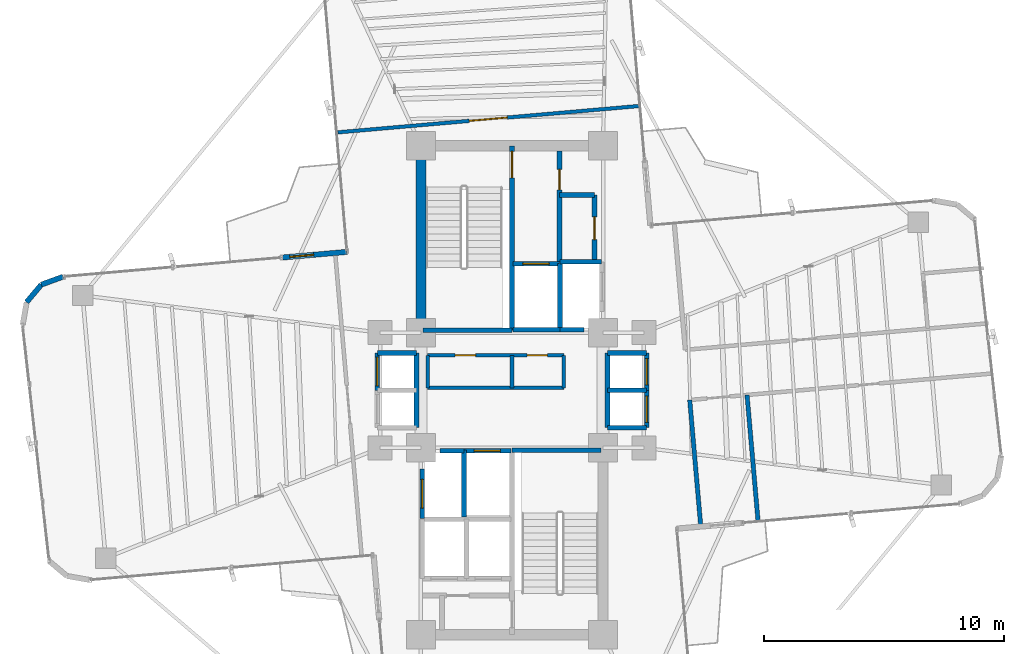
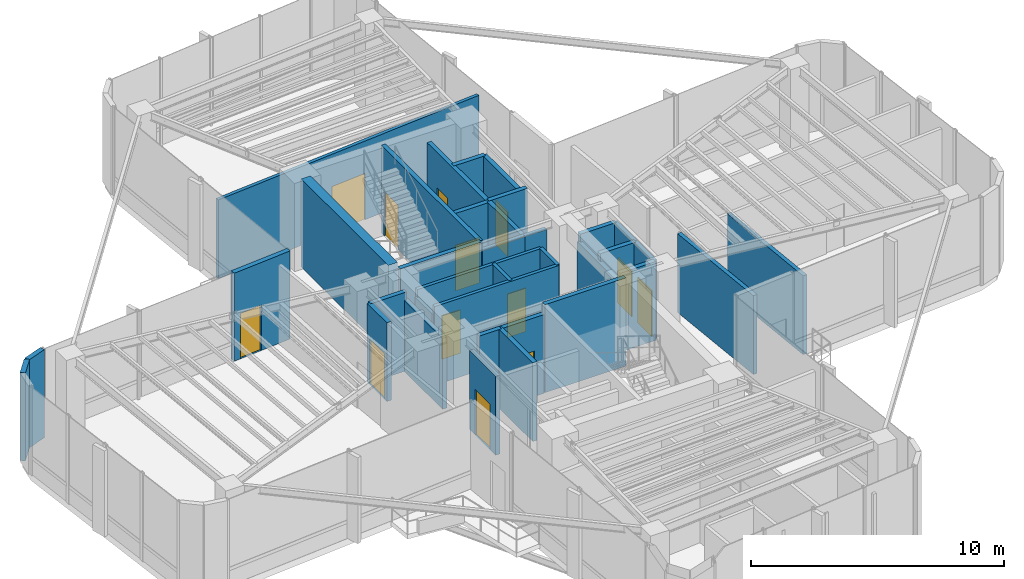
# One storey, part 17 of 19: 36 walls, 13 doors, 13 openings.
"""IFC4 building model written with IfcOpenShell, lengths in metres."""

from ifc_helpers import new_model, si_unit, direction, frame, frame_2d, origin, origin_2d, place, context, subcontext, project, spatial, rectangle, extrude, source, transform, mapped, material, layer, layer_set, type_object, element, fill, save


model = new_model("IFC4")

# Units and contexts
model_context = context("Model", 3, precision=1e-05, world=origin(), true_north=direction((0.0, 1.0)))
body_context = subcontext(model_context, "Body", "Model", "MODEL_VIEW")
ifc_project = project(units=[si_unit("LENGTHUNIT", "METRE"), si_unit("AREAUNIT", "SQUARE_METRE"), si_unit("VOLUMEUNIT", "CUBIC_METRE"), si_unit("PLANEANGLEUNIT", "RADIAN"), si_unit("MASSUNIT", "GRAM", prefix="KILO")], contexts=[model_context])

# Site, building, storey
site_placement = place(None, origin())
site = spatial("IfcSite", under=ifc_project, at=site_placement, CompositionType="ELEMENT")
building_placement = place(site_placement, origin())
building = spatial("IfcBuilding", under=site, at=building_placement, Name="Sahyath Konkavel Grand Hotel", CompositionType="ELEMENT")
storey_placement = place(building_placement, frame((0.0, 0.0, 142.75)))
storey = spatial("IfcBuildingStorey", under=building, at=storey_placement, Name="L39", CompositionType="ELEMENT", Elevation=142.75)

# Wall
ifc_material_1 = material(Name="Concrete C50/60", Category="concrete")
ifc_layer_1 = layer(ifc_material_1, 0.419921875)
ifc_layer_set_1 = layer_set([ifc_layer_1], Name="Concrete C50/60")
wall_type_1 = type_object("IfcWallType", Name="CWALL-420", PredefinedType="SHEAR", material=ifc_layer_set_1)
wall_1_placement = place(storey_placement, frame((-3.800048828125, 2.85009765625, 0.0), z_axis=(0.0, 0.0, 1.0), x_axis=(0.0, 1.0, 0.0)))
element("IfcWall", 1, at=wall_1_placement, inside=storey, type_object=wall_type_1, Name="L39 North Core Shear Wall W", PredefinedType="SHEAR", context=body_context, shape_type="SweptSolid", body=[
    extrude(rectangle(XDim=6.89990234375, YDim=0.419921875, at=frame_2d((3.449951171875, 0.0))), origin(), (0.0, 0.0, 1.0), 4.260009765625),
])

# Wall, opening, door
ifc_material_2 = material(Name="Warm Buff Sandstone Insulated Concrete C40/50", Category="masonry")
ifc_layer_2 = layer(ifc_material_2, 0.219970703125)
ifc_layer_set_2 = layer_set([ifc_layer_2], Name="Warm Buff Sandstone Insulated Concrete C40/50")
wall_type_2 = type_object("IfcWallType", Name="WLL-BALC-THRESH", PredefinedType="STANDARD", material=ifc_layer_set_2)
wall_2_placement = place(storey_placement, frame((-6.87939453125, 5.7724609375, 0.0), z_axis=(0.0, 0.0, 1.0), x_axis=(-0.996193619346, -0.087168071984, 0.0)))
wall_2 = element("IfcWall", 2, at=wall_2_placement, inside=storey, type_object=wall_type_2, Name="L39 Winter-Garden Threshold Wall 16", PredefinedType="STANDARD", context=body_context, shape_type="SweptSolid", body=[
    extrude(rectangle(XDim=2.699951171875, YDim=0.219970703125, at=frame_2d((1.35009765625, 0.0))), origin(), (0.0, 0.0, 1.0), 4.260009765625),
])
opening_1_placement = place(wall_2_placement, frame((1.39990234375, 0.0, 0.0)))
opening_1 = element("IfcOpeningElement", 3, at=opening_1_placement, cuts=wall_2, Name="Opening D-TR1", PredefinedType="OPENING", context=body_context, shape_type="SweptSolid", body=[
    extrude(rectangle(XDim=1.0, YDim=2.199951171875, at=frame_2d((0.5, 1.10009765625))), frame((0.0, 0.1201171875, 0.0), z_axis=(0.0, -1.0, 0.0), x_axis=(1.0, 0.0, 0.0)), (0.0, 0.0, 1.0), 0.239990234375),
])
ifc_material_3 = material(Name="Anodised Bronze Aluminium & Low-E Glazing", Category="aluminium")
door_type_1 = type_object("IfcDoorType", Name="DR-TERRACE-1000", OperationType="NOTDEFINED", PredefinedType="DOOR", material=ifc_material_3)
shared_shape_1 = source(origin(), body_context, "Body", "SweptSolid", [
    extrude(rectangle(XDim=1.0, YDim=0.050048828125, at=origin_2d()), origin(), (0.0, 0.0, 1.0), 2.199951171875),
])
door_1_placement = place(opening_1_placement, frame((0.5, 0.0, 0.0)))
door_1 = element("IfcDoor", 4, at=door_1_placement, inside=storey, type_object=door_type_1, Name="L39 Winter-Garden Terrace Door 16", OperationType="SINGLE_SWING_LEFT", OverallHeight=2.199951171875, OverallWidth=1.0, PredefinedType="DOOR", context=body_context, shape_type="MappedRepresentation", body=[
    mapped(shared_shape_1, transform((0.0, 0.0, 0.0), scale=1.0)),
])
fill(opening_1, door_1)

# Walls
wall_3_placement = place(storey_placement, frame((-18.73388671875, 4.735107421875, 0.0), z_axis=(0.0, 0.0, 1.0), x_axis=(-0.939741306239, -0.34188635151, 0.0)))
element("IfcWall", 5, at=wall_3_placement, inside=storey, type_object=wall_type_2, Name="L39 Rounded Corner Sandstone Pier 17", PredefinedType="STANDARD", context=body_context, shape_type="SweptSolid", body=[
    extrude(rectangle(XDim=0.95751953125, YDim=0.219970703125, at=frame_2d((0.478759765625, 0.0))), origin(), (0.0, 0.0, 1.0), 4.260009765625),
])
wall_4_placement = place(storey_placement, frame((-19.6337890625, 4.40771484375, 0.0), z_axis=(0.0, 0.0, 1.0), x_axis=(-0.642863236823, -0.765980978054, 0.0)))
element("IfcWall", 6, at=wall_4_placement, inside=storey, type_object=wall_type_2, Name="L39 Rounded Corner Sandstone Pier 18", PredefinedType="STANDARD", context=body_context, shape_type="SweptSolid", body=[
    extrude(rectangle(XDim=0.957763671875, YDim=0.219970703125, at=frame_2d((0.47900390625, 0.0))), origin(), (0.0, 0.0, 1.0), 4.260009765625),
])

# Wall, opening, door
ifc_material_4 = material(Name="Concrete C40/50", Category="concrete")
ifc_layer_3 = layer(ifc_material_4, 0.199951171875)
ifc_layer_set_3 = layer_set([ifc_layer_3], Name="Concrete C40/50")
wall_type_3 = type_object("IfcWallType", Name="WLL-CORE-200", PredefinedType="SOLIDWALL", material=ifc_layer_set_3)
wall_5_placement = place(storey_placement, frame((0.0, 2.5, 0.0), z_axis=(0.0, 0.0, 1.0), x_axis=(0.0, 1.0, 0.0)))
wall_5 = element("IfcWall", 7, at=wall_5_placement, inside=storey, type_object=wall_type_3, Name="L39 Stair ST-1 Shaft Wall E", PredefinedType="SOLIDWALL", context=body_context, shape_type="SweptSolid", body=[
    extrude(rectangle(XDim=7.679931640625, YDim=0.199951171875, at=frame_2d((3.83984375, 0.0))), origin(), (0.0, 0.0, 1.0), 4.260009765625),
])
opening_2_placement = place(wall_5_placement, frame((6.360107421875, 0.0, 0.0)))
opening_2 = element("IfcOpeningElement", 8, at=opening_2_placement, cuts=wall_5, Name="Opening D-F12B", PredefinedType="OPENING", context=body_context, shape_type="SweptSolid", body=[
    extrude(rectangle(XDim=1.10009765625, YDim=2.14990234375, at=frame_2d((0.550048828125, 1.074951171875))), frame((0.0, 0.10986328125, 0.0), z_axis=(0.0, -1.0, 0.0), x_axis=(1.0, 0.0, 0.0)), (0.0, 0.0, 1.0), 0.219970703125),
])
ifc_material_5 = material(Name="Steel E350 Smokeproof Fire Door", Category="steel")
door_type_2 = type_object("IfcDoorType", Name="DR-FD120-1100", OperationType="NOTDEFINED", PredefinedType="DOOR", material=ifc_material_5)
shared_shape_2 = source(origin(), body_context, "Body", "SweptSolid", [
    extrude(rectangle(XDim=1.10009765625, YDim=0.050048828125, at=origin_2d()), origin(), (0.0, 0.0, 1.0), 2.14990234375),
])
door_2_placement = place(opening_2_placement, frame((0.550048828125, 0.0, 0.0)))
door_2 = element("IfcDoor", 9, at=door_2_placement, inside=storey, type_object=door_type_2, Name="L39 Stair ST-1 Fire Door", OperationType="SINGLE_SWING_LEFT", OverallHeight=2.14990234375, OverallWidth=1.10009765625, PredefinedType="DOOR", context=body_context, shape_type="MappedRepresentation", body=[
    mapped(shared_shape_2, transform((0.0, 0.0, 0.0), scale=1.0)),
])
fill(opening_2, door_2)

# Walls
for number, where, z_axis, x_axis, name in (
    (10, (-3.719970703125, 2.5, 0.0), (0.0, 0.0, 1.0), (1.0, 0.0, 0.0), "L39 Stair ST-1 Shaft Wall S"),
    (11, (0.0, -2.5, 0.0), (0.0, 0.0, 1.0), (1.0, 0.0, 0.0), "L39 Stair ST-2 Shaft Wall N"),
):
    element("IfcWall", number, at=place(storey_placement, frame(where, z_axis=z_axis, x_axis=x_axis)), inside=storey, type_object=wall_type_3, Name=name, PredefinedType="SOLIDWALL", context=body_context, shape_type="SweptSolid", body=[
        extrude(rectangle(XDim=3.719970703125, YDim=0.199951171875, at=frame_2d((1.85986328125, 0.0))), origin(), (0.0, 0.0, 1.0), 4.260009765625),
    ])

# Wall, opening, door
wall_6_placement = place(storey_placement, frame((1.97998046875, 5.320068359375, 0.0), z_axis=(0.0, 0.0, 1.0), x_axis=(0.0, 1.0, 0.0)))
wall_6 = element("IfcWall", 12, at=wall_6_placement, inside=storey, type_object=wall_type_3, Name="L39 North Firefighting Lobby Wall E", PredefinedType="SOLIDWALL", context=body_context, shape_type="SweptSolid", body=[
    extrude(rectangle(XDim=4.659912109375, YDim=0.199951171875, at=frame_2d((2.330078125, 0.0))), origin(), (0.0, 0.0, 1.0), 3.81005859375),
])
opening_3_placement = place(wall_6_placement, frame((3.0400390625, 0.0, 0.0)))
opening_3 = element("IfcOpeningElement", 13, at=opening_3_placement, cuts=wall_6, Name="Opening D-F12D", PredefinedType="OPENING", context=body_context, shape_type="SweptSolid", body=[
    extrude(rectangle(XDim=0.85009765625, YDim=2.10009765625, at=frame_2d((0.425048828125, 1.050048828125))), frame((0.0, 0.10986328125, 0.0), z_axis=(0.0, -1.0, 0.0), x_axis=(1.0, 0.0, 0.0)), (0.0, 0.0, 1.0), 0.219970703125),
])
ifc_material_6 = material(Name="Steel E350 Core Fire Door", Category="steel")
door_type_3 = type_object("IfcDoorType", Name="DR-FD120-850", OperationType="NOTDEFINED", PredefinedType="DOOR", material=ifc_material_6)
shared_shape_3 = source(origin(), body_context, "Body", "SweptSolid", [
    extrude(rectangle(XDim=0.85009765625, YDim=0.050048828125, at=origin_2d()), origin(), (0.0, 0.0, 1.0), 2.10009765625),
])
door_3_placement = place(opening_3_placement, frame((0.425048828125, 0.0, 0.0)))
door_3 = element("IfcDoor", 14, at=door_3_placement, inside=storey, type_object=door_type_3, Name="L39 North Firefighting Lobby Door", OperationType="SINGLE_SWING_LEFT", OverallHeight=2.10009765625, OverallWidth=0.85009765625, PredefinedType="DOOR", context=body_context, shape_type="MappedRepresentation", body=[
    mapped(shared_shape_3, transform((0.0, 0.0, 0.0), scale=1.0)),
])
fill(opening_3, door_3)

# Walls
wall_7_placement = place(storey_placement, frame((2.0, 2.5, 0.0), z_axis=(0.0, 0.0, 1.0), x_axis=(0.0, 1.0, 0.0)))
element("IfcWall", 15, at=wall_7_placement, inside=storey, type_object=wall_type_3, Name="L39 Partition SH-FFL1-E", PredefinedType="SOLIDWALL", context=body_context, shape_type="SweptSolid", body=[
    extrude(rectangle(XDim=2.780029296875, YDim=0.199951171875, at=frame_2d((1.39013671875, 0.0))), origin(), (0.0, 0.0, 1.0), 3.81005859375),
])
wall_8_placement = place(storey_placement, frame((0.050048828125, 2.52001953125, 0.0), z_axis=(0.0, 0.0, 1.0), x_axis=(1.0, 0.0, 0.0)))
element("IfcWall", 16, at=wall_8_placement, inside=storey, type_object=wall_type_3, Name="L39 Partition SH-FFL1-S", PredefinedType="SOLIDWALL", context=body_context, shape_type="SweptSolid", body=[
    extrude(rectangle(XDim=1.949951171875, YDim=0.199951171875, at=frame_2d((0.97509765625, 0.0))), origin(), (0.0, 0.0, 1.0), 3.81005859375),
])

# Wall, opening, door
wall_9_placement = place(storey_placement, frame((0.050048828125, 5.280029296875, 0.0), z_axis=(0.0, 0.0, 1.0), x_axis=(1.0, 0.0, 0.0)))
wall_9 = element("IfcWall", 17, at=wall_9_placement, inside=storey, type_object=wall_type_3, Name="L39 Partition SH-FFL1-N", PredefinedType="SOLIDWALL", context=body_context, shape_type="SweptSolid", body=[
    extrude(rectangle(XDim=1.929931640625, YDim=0.199951171875, at=frame_2d((0.96484375, 0.0))), origin(), (0.0, 0.0, 1.0), 3.81005859375),
])
opening_4_placement = place(wall_9_placement, frame((0.39990234375, 0.0, 0.0)))
opening_4 = element("IfcOpeningElement", 18, at=opening_4_placement, cuts=wall_9, Name="Opening LD-11", PredefinedType="OPENING", context=body_context, shape_type="SweptSolid", body=[
    extrude(rectangle(XDim=1.10009765625, YDim=2.199951171875, at=frame_2d((0.550048828125, 1.10009765625))), frame((0.0, 0.10986328125, 0.0), z_axis=(0.0, -1.0, 0.0), x_axis=(1.0, 0.0, 0.0)), (0.0, 0.0, 1.0), 0.219970703125),
])
ifc_material_7 = material(Name="Bronze Lift Landing Door 1100")
door_type_4 = type_object("IfcDoorType", Name="DR-LIFT-1100", OperationType="DOUBLE_DOOR_SLIDING", PredefinedType="DOOR", material=ifc_material_7)
shared_shape_4 = source(origin(), body_context, "Body", "SweptSolid", [
    extrude(rectangle(XDim=1.10009765625, YDim=0.050048828125, at=origin_2d()), origin(), (0.0, 0.0, 1.0), 2.199951171875),
])
door_4_placement = place(opening_4_placement, frame((0.550048828125, 0.0, 0.0)))
door_4 = element("IfcDoor", 19, at=door_4_placement, inside=storey, type_object=door_type_4, Name="L39 Lift FFL-1 Landing Door", OperationType="DOUBLE_DOOR_SLIDING", OverallHeight=2.199951171875, OverallWidth=1.10009765625, PredefinedType="DOOR", context=body_context, shape_type="MappedRepresentation", body=[
    mapped(shared_shape_4, transform((0.0, 0.0, 0.0), scale=1.0)),
])
fill(opening_4, door_4)

# Wall
wall_10_placement = place(storey_placement, frame((-2.0, -5.280029296875, 0.0), z_axis=(0.0, 0.0, 1.0), x_axis=(0.0, 1.0, 0.0)))
element("IfcWall", 20, at=wall_10_placement, inside=storey, type_object=wall_type_3, Name="L39 Partition SH-FFL2-W", PredefinedType="SOLIDWALL", context=body_context, shape_type="SweptSolid", body=[
    extrude(rectangle(XDim=2.780029296875, YDim=0.199951171875, at=frame_2d((1.39013671875, 0.0))), origin(), (0.0, 0.0, 1.0), 3.81005859375),
])

# Wall, opening, door
wall_11_placement = place(storey_placement, frame((-2.0, -2.52001953125, 0.0), z_axis=(0.0, 0.0, 1.0), x_axis=(1.0, 0.0, 0.0)))
wall_11 = element("IfcWall", 21, at=wall_11_placement, inside=storey, type_object=wall_type_3, Name="L39 Partition SH-FFL2-N", PredefinedType="SOLIDWALL", context=body_context, shape_type="SweptSolid", body=[
    extrude(rectangle(XDim=1.949951171875, YDim=0.199951171875, at=frame_2d((0.97509765625, 0.0))), origin(), (0.0, 0.0, 1.0), 3.81005859375),
])
opening_5_placement = place(wall_11_placement, frame((0.419921875, 0.0, 0.0)))
opening_5 = element("IfcOpeningElement", 22, at=opening_5_placement, cuts=wall_11, Name="Opening LD-11", PredefinedType="OPENING", context=body_context, shape_type="SweptSolid", body=[
    extrude(rectangle(XDim=1.10009765625, YDim=2.199951171875, at=frame_2d((0.550048828125, 1.10009765625))), frame((0.0, 0.10986328125, 0.0), z_axis=(0.0, -1.0, 0.0), x_axis=(1.0, 0.0, 0.0)), (0.0, 0.0, 1.0), 0.219970703125),
])
door_5_placement = place(opening_5_placement, frame((0.550048828125, 0.0, 0.0)))
door_5 = element("IfcDoor", 23, at=door_5_placement, inside=storey, type_object=door_type_4, Name="L39 Lift FFL-2 Landing Door", OperationType="DOUBLE_DOOR_SLIDING", OverallHeight=2.199951171875, OverallWidth=1.10009765625, PredefinedType="DOOR", context=body_context, shape_type="MappedRepresentation", body=[
    mapped(shared_shape_4, transform((0.0, 0.0, 0.0), scale=1.0)),
])
fill(opening_5, door_5)

# Walls
wall_12_placement = place(storey_placement, frame((2.0, 2.52001953125, 0.0), z_axis=(0.0, 0.0, 1.0), x_axis=(1.0, 0.0, 0.0)))
element("IfcWall", 24, at=wall_12_placement, inside=storey, type_object=wall_type_3, Name="L39 Partition SH-SVL1-S", PredefinedType="SOLIDWALL", context=body_context, shape_type="SweptSolid", body=[
    extrude(rectangle(XDim=1.0, YDim=0.199951171875, at=frame_2d((0.5, 0.0))), origin(), (0.0, 0.0, 1.0), 3.81005859375),
])
wall_13_placement = place(storey_placement, frame((2.0, 5.360107421875, 0.0), z_axis=(0.0, 0.0, 1.0), x_axis=(1.0, 0.0, 0.0)))
element("IfcWall", 25, at=wall_13_placement, inside=storey, type_object=wall_type_3, Name="L39 Partition SH-SVL1-N", PredefinedType="SOLIDWALL", context=body_context, shape_type="SweptSolid", body=[
    extrude(rectangle(XDim=1.739990234375, YDim=0.199951171875, at=frame_2d((0.8701171875, 0.0))), origin(), (0.0, 0.0, 1.0), 3.81005859375),
])
wall_14_placement = place(storey_placement, frame((-3.0, -2.52001953125, 0.0), z_axis=(0.0, 0.0, 1.0), x_axis=(1.0, 0.0, 0.0)))
element("IfcWall", 26, at=wall_14_placement, inside=storey, type_object=wall_type_3, Name="L39 Partition SH-SVL2-N", PredefinedType="SOLIDWALL", context=body_context, shape_type="SweptSolid", body=[
    extrude(rectangle(XDim=1.0, YDim=0.199951171875, at=frame_2d((0.5, 0.0))), origin(), (0.0, 0.0, 1.0), 3.81005859375),
])

# Wall, opening, door
wall_15_placement = place(storey_placement, frame((-3.739990234375, -5.360107421875, 0.0), z_axis=(0.0, 0.0, 1.0), x_axis=(0.0, 1.0, 0.0)))
wall_15 = element("IfcWall", 27, at=wall_15_placement, inside=storey, type_object=wall_type_3, Name="L39 Partition SH-SVL2-W", PredefinedType="SOLIDWALL", context=body_context, shape_type="SweptSolid", body=[
    extrude(rectangle(XDim=2.080078125, YDim=0.199951171875, at=frame_2d((1.0400390625, 0.0))), origin(), (0.0, 0.0, 1.0), 3.81005859375),
])
opening_6_placement = place(wall_15_placement, frame((0.43994140625, 0.0, 0.0)))
opening_6 = element("IfcOpeningElement", 28, at=opening_6_placement, cuts=wall_15, Name="Opening LD-12", PredefinedType="OPENING", context=body_context, shape_type="SweptSolid", body=[
    extrude(rectangle(XDim=1.199951171875, YDim=2.199951171875, at=frame_2d((0.60009765625, 1.10009765625))), frame((0.0, 0.10986328125, 0.0), z_axis=(0.0, -1.0, 0.0), x_axis=(1.0, 0.0, 0.0)), (0.0, 0.0, 1.0), 0.219970703125),
])
ifc_material_8 = material(Name="Stainless Steel Lift Landing Door 1200", Category="steel")
door_type_5 = type_object("IfcDoorType", Name="DR-LIFT-1200", OperationType="DOUBLE_DOOR_SLIDING", PredefinedType="DOOR", material=ifc_material_8)
shared_shape_5 = source(origin(), body_context, "Body", "SweptSolid", [
    extrude(rectangle(XDim=1.199951171875, YDim=0.050048828125, at=origin_2d()), origin(), (0.0, 0.0, 1.0), 2.199951171875),
])
door_6_placement = place(opening_6_placement, frame((0.60009765625, 0.0, 0.0)))
door_6 = element("IfcDoor", 29, at=door_6_placement, inside=storey, type_object=door_type_5, Name="L39 Service Lift SVL-2 Landing Door", OperationType="DOUBLE_DOOR_SLIDING", OverallHeight=2.199951171875, OverallWidth=1.199951171875, PredefinedType="DOOR", context=body_context, shape_type="MappedRepresentation", body=[
    mapped(shared_shape_5, transform((0.0, 0.0, 0.0), scale=1.0)),
])
fill(opening_6, door_6)

# Walls
wall_16_placement = place(storey_placement, frame((3.97998046875, -1.56005859375, 0.0), z_axis=(0.0, 0.0, 1.0), x_axis=(0.0, 1.0, 0.0)))
element("IfcWall", 30, at=wall_16_placement, inside=storey, type_object=wall_type_3, Name="L39 Partition SH-PL56-W", PredefinedType="SOLIDWALL", context=body_context, shape_type="SweptSolid", body=[
    extrude(rectangle(XDim=3.1201171875, YDim=0.199951171875, at=frame_2d((1.56005859375, 0.0))), origin(), (0.0, 0.0, 1.0), 3.429931640625),
])
for number, where, z_axis, x_axis, name in (
    (31, (3.97998046875, 1.56005859375, 0.0), (0.0, 0.0, 1.0), (1.0, 0.0, 0.0), "L39 Partition SH-PL56-N"),
    (32, (3.97998046875, -1.56005859375, 0.0), (0.0, 0.0, 1.0), (1.0, 0.0, 0.0), "L39 Partition SH-PL56-S"),
    (33, (3.97998046875, 0.0, 0.0), (0.0, 0.0, 1.0), (1.0, 0.0, 0.0), "L39 Partition SH-PL56-M"),
):
    element("IfcWall", number, at=place(storey_placement, frame(where, z_axis=z_axis, x_axis=x_axis)), inside=storey, type_object=wall_type_3, Name=name, PredefinedType="SOLIDWALL", context=body_context, shape_type="SweptSolid", body=[
        extrude(rectangle(XDim=1.64013671875, YDim=0.199951171875, at=frame_2d((0.820068359375, 0.0))), origin(), (0.0, 0.0, 1.0), 3.81005859375),
    ])

# Wall, opening, door
wall_17_placement = place(storey_placement, frame((5.6201171875, 0.0, 0.0), z_axis=(0.0, 0.0, 1.0), x_axis=(0.0, 1.0, 0.0)))
wall_17 = element("IfcWall", 34, at=wall_17_placement, inside=storey, type_object=wall_type_3, Name="L39 Partition SH-PL5-E", PredefinedType="SOLIDWALL", context=body_context, shape_type="SweptSolid", body=[
    extrude(rectangle(XDim=1.56005859375, YDim=0.199951171875, at=frame_2d((0.780029296875, 0.0))), origin(), (0.0, 0.0, 1.0), 3.81005859375),
])
opening_7_placement = place(wall_17_placement, frame((0.219970703125, 0.0, 0.0)))
opening_7 = element("IfcOpeningElement", 35, at=opening_7_placement, cuts=wall_17, Name="Opening LD-11", PredefinedType="OPENING", context=body_context, shape_type="SweptSolid", body=[
    extrude(rectangle(XDim=1.10009765625, YDim=2.199951171875, at=frame_2d((0.550048828125, 1.10009765625))), frame((0.0, 0.10986328125, 0.0), z_axis=(0.0, -1.0, 0.0), x_axis=(1.0, 0.0, 0.0)), (0.0, 0.0, 1.0), 0.219970703125),
])
door_7_placement = place(opening_7_placement, frame((0.550048828125, 0.0, 0.0)))
door_7 = element("IfcDoor", 36, at=door_7_placement, inside=storey, type_object=door_type_4, Name="L39 High-Rise Lift PL-5 Landing Door", OperationType="DOUBLE_DOOR_SLIDING", OverallHeight=2.199951171875, OverallWidth=1.10009765625, PredefinedType="DOOR", context=body_context, shape_type="MappedRepresentation", body=[
    mapped(shared_shape_4, transform((0.0, 0.0, 0.0), scale=1.0)),
])
fill(opening_7, door_7)

wall_18_placement = place(storey_placement, frame((5.6201171875, -1.56005859375, 0.0), z_axis=(0.0, 0.0, 1.0), x_axis=(0.0, 1.0, 0.0)))
wall_18 = element("IfcWall", 37, at=wall_18_placement, inside=storey, type_object=wall_type_3, Name="L39 Partition SH-PL6-E", PredefinedType="SOLIDWALL", context=body_context, shape_type="SweptSolid", body=[
    extrude(rectangle(XDim=1.56005859375, YDim=0.199951171875, at=frame_2d((0.780029296875, 0.0))), origin(), (0.0, 0.0, 1.0), 3.81005859375),
])
opening_8_placement = place(wall_18_placement, frame((0.219970703125, 0.0, 0.0)))
opening_8 = element("IfcOpeningElement", 38, at=opening_8_placement, cuts=wall_18, Name="Opening LD-11", PredefinedType="OPENING", context=body_context, shape_type="SweptSolid", body=[
    extrude(rectangle(XDim=1.10009765625, YDim=2.199951171875, at=frame_2d((0.550048828125, 1.10009765625))), frame((0.0, 0.10986328125, 0.0), z_axis=(0.0, -1.0, 0.0), x_axis=(1.0, 0.0, 0.0)), (0.0, 0.0, 1.0), 0.219970703125),
])
door_8_placement = place(opening_8_placement, frame((0.550048828125, 0.0, 0.0)))
door_8 = element("IfcDoor", 39, at=door_8_placement, inside=storey, type_object=door_type_4, Name="L39 High-Rise Lift PL-6 Landing Door", OperationType="DOUBLE_DOOR_SLIDING", OverallHeight=2.199951171875, OverallWidth=1.10009765625, PredefinedType="DOOR", context=body_context, shape_type="MappedRepresentation", body=[
    mapped(shared_shape_4, transform((0.0, 0.0, 0.0), scale=1.0)),
])
fill(opening_8, door_8)

# Walls
wall_19_placement = place(storey_placement, frame((-3.97998046875, -1.56005859375, 0.0), z_axis=(0.0, 0.0, 1.0), x_axis=(0.0, 1.0, 0.0)))
element("IfcWall", 40, at=wall_19_placement, inside=storey, type_object=wall_type_3, Name="L39 Partition SH-SL12-E", PredefinedType="SOLIDWALL", context=body_context, shape_type="SweptSolid", body=[
    extrude(rectangle(XDim=3.1201171875, YDim=0.199951171875, at=frame_2d((1.56005859375, 0.0))), origin(), (0.0, 0.0, 1.0), 3.429931640625),
])
wall_20_placement = place(storey_placement, frame((-5.6201171875, 1.56005859375, 0.0), z_axis=(0.0, 0.0, 1.0), x_axis=(1.0, 0.0, 0.0)))
element("IfcWall", 41, at=wall_20_placement, inside=storey, type_object=wall_type_3, Name="L39 Partition SH-SL12-N", PredefinedType="SOLIDWALL", context=body_context, shape_type="SweptSolid", body=[
    extrude(rectangle(XDim=1.64013671875, YDim=0.199951171875, at=frame_2d((0.820068359375, 0.0))), origin(), (0.0, 0.0, 1.0), 3.81005859375),
])

# Wall, opening, door
wall_21_placement = place(storey_placement, frame((-5.6201171875, 0.0, 0.0), z_axis=(0.0, 0.0, 1.0), x_axis=(0.0, 1.0, 0.0)))
wall_21 = element("IfcWall", 42, at=wall_21_placement, inside=storey, type_object=wall_type_3, Name="L39 Partition SH-SL1-W", PredefinedType="SOLIDWALL", context=body_context, shape_type="SweptSolid", body=[
    extrude(rectangle(XDim=1.56005859375, YDim=0.199951171875, at=frame_2d((0.780029296875, 0.0))), origin(), (0.0, 0.0, 1.0), 3.81005859375),
])
opening_9_placement = place(wall_21_placement, frame((0.179931640625, 0.0, 0.0)))
opening_9 = element("IfcOpeningElement", 43, at=opening_9_placement, cuts=wall_21, Name="Opening LD-12", PredefinedType="OPENING", context=body_context, shape_type="SweptSolid", body=[
    extrude(rectangle(XDim=1.199951171875, YDim=2.199951171875, at=frame_2d((0.60009765625, 1.10009765625))), frame((0.0, 0.10986328125, 0.0), z_axis=(0.0, -1.0, 0.0), x_axis=(1.0, 0.0, 0.0)), (0.0, 0.0, 1.0), 0.219970703125),
])
door_9_placement = place(opening_9_placement, frame((0.60009765625, 0.0, 0.0)))
door_9 = element("IfcDoor", 44, at=door_9_placement, inside=storey, type_object=door_type_5, Name="L39 Express Shuttle SL-1 Landing Door", OperationType="DOUBLE_DOOR_SLIDING", OverallHeight=2.199951171875, OverallWidth=1.199951171875, PredefinedType="DOOR", context=body_context, shape_type="MappedRepresentation", body=[
    mapped(shared_shape_5, transform((0.0, 0.0, 0.0), scale=1.0)),
])
fill(opening_9, door_9)

wall_22_placement = place(storey_placement, frame((3.43994140625, 5.3798828125, 0.0), z_axis=(0.0, 0.0, 1.0), x_axis=(0.0, 1.0, 0.0)))
wall_22 = element("IfcWall", 45, at=wall_22_placement, inside=storey, type_object=wall_type_3, Name="L39 Reclaimed North Core Wall E", PredefinedType="SOLIDWALL", context=body_context, shape_type="SweptSolid", body=[
    extrude(rectangle(XDim=2.77001953125, YDim=0.199951171875, at=frame_2d((1.385009765625, 0.0))), origin(), (0.0, 0.0, 1.0), 3.81005859375),
])
opening_10_placement = place(wall_22_placement, frame((0.89990234375, 0.0, 0.0)))
opening_10 = element("IfcOpeningElement", 46, at=opening_10_placement, cuts=wall_22, Name="Opening D-F06B", PredefinedType="OPENING", context=body_context, shape_type="SweptSolid", body=[
    extrude(rectangle(XDim=0.949951171875, YDim=2.14990234375, at=frame_2d((0.47509765625, 1.074951171875))), frame((0.0, 0.10986328125, 0.0), z_axis=(0.0, -1.0, 0.0), x_axis=(1.0, 0.0, 0.0)), (0.0, 0.0, 1.0), 0.219970703125),
])
ifc_material_9 = material(Name="Teak Veneer Fire-Rated Guest Entrance Door")
door_type_6 = type_object("IfcDoorType", Name="DR-FD60-950", OperationType="NOTDEFINED", PredefinedType="DOOR", material=ifc_material_9)
shared_shape_6 = source(origin(), body_context, "Body", "SweptSolid", [
    extrude(rectangle(XDim=0.949951171875, YDim=0.050048828125, at=origin_2d()), origin(), (0.0, 0.0, 1.0), 2.14990234375),
])
door_10_placement = place(opening_10_placement, frame((0.47509765625, 0.0, 0.0)))
door_10 = element("IfcDoor", 47, at=door_10_placement, inside=storey, type_object=door_type_6, Name="L39 Door NC-REC1-D", OperationType="SINGLE_SWING_RIGHT", OverallHeight=2.14990234375, OverallWidth=0.949951171875, PredefinedType="DOOR", context=body_context, shape_type="MappedRepresentation", body=[
    mapped(shared_shape_6, transform((0.0, 0.0, 0.0), scale=1.0)),
])
fill(opening_10, door_10)

# Walls
wall_23_placement = place(storey_placement, frame((1.97998046875, 8.14990234375, 0.0), z_axis=(0.0, 0.0, 1.0), x_axis=(1.0, 0.0, 0.0)))
element("IfcWall", 48, at=wall_23_placement, inside=storey, type_object=wall_type_3, Name="L39 Partition NC-REC-N", PredefinedType="SOLIDWALL", context=body_context, shape_type="SweptSolid", body=[
    extrude(rectangle(XDim=1.4599609375, YDim=0.199951171875, at=frame_2d((0.72998046875, 0.0))), origin(), (0.0, 0.0, 1.0), 3.81005859375),
])
ifc_material_10 = material(Name="Twin-Stud Acoustic Gypsum Plasterboard Partition")
ifc_layer_4 = layer(ifc_material_10, 0.179931640625)
ifc_layer_set_4 = layer_set([ifc_layer_4], Name="Twin-Stud Acoustic Gypsum Plasterboard Partition")
wall_type_4 = type_object("IfcWallType", Name="WLL-DEMISE-180", PredefinedType="PARTITIONING", material=ifc_layer_set_4)
for number, where, z_axis, x_axis, name in (
    (49, (7.87109375, -5.635498046875, 0.0), (0.0, 0.0, 1.0), (-0.087147336495, 0.996195433508, 0.0), "L39 Partition L39-E-INR"),
    (50, (9.804443359375, -0.1962890625, 0.0), (0.0, 0.0, 1.0), (0.087147336495, -0.996195433508, 0.0), "L39 Partition E-EAWC-DEM"),
):
    element("IfcWall", number, at=place(storey_placement, frame(where, z_axis=z_axis, x_axis=x_axis)), inside=storey, type_object=wall_type_4, Name=name, PredefinedType="PARTITIONING", context=body_context, shape_type="SweptSolid", body=[
        extrude(rectangle(XDim=5.25, YDim=0.179931640625, at=frame_2d((2.625, 0.0))), origin(), (0.0, 0.0, 1.0), 3.81005859375),
    ])
ifc_material_11 = material(Name="Fire-Rated Gypsum Plasterboard Partition")
ifc_layer_5 = layer(ifc_material_11, 0.14990234375)
ifc_layer_set_5 = layer_set([ifc_layer_5], Name="Fire-Rated Gypsum Plasterboard Partition")
wall_type_5 = type_object("IfcWallType", Name="WLL-PART-150", PredefinedType="PARTITIONING", material=ifc_layer_set_5)
wall_24_placement = place(storey_placement, frame((-3.52001953125, 0.10009765625, 0.0), z_axis=(0.0, 0.0, 1.0), x_axis=(1.0, 0.0, 0.0)))
element("IfcWall", 51, at=wall_24_placement, inside=storey, type_object=wall_type_5, Name="L39 Partition CC-S0-FIX", PredefinedType="PARTITIONING", context=body_context, shape_type="SweptSolid", body=[
    extrude(rectangle(XDim=5.679931640625, YDim=0.14990234375, at=frame_2d((2.83984375, 0.0))), origin(), (0.0, 0.0, 1.0), 3.81005859375),
])

# Wall, openings, doors
wall_25_placement = place(storey_placement, frame((-3.52001953125, 1.4599609375, 0.0), z_axis=(0.0, 0.0, 1.0), x_axis=(1.0, 0.0, 0.0)))
wall_25 = element("IfcWall", 52, at=wall_25_placement, inside=storey, type_object=wall_type_5, Name="L39 Partition CC-N0", PredefinedType="PARTITIONING", context=body_context, shape_type="SweptSolid", body=[
    extrude(rectangle(XDim=5.679931640625, YDim=0.14990234375, at=frame_2d((2.83984375, 0.0))), origin(), (0.0, 0.0, 1.0), 3.81005859375),
])
opening_11_placement = place(wall_25_placement, frame((1.14990234375, 0.0, 0.0)))
opening_11 = element("IfcOpeningElement", 53, at=opening_11_placement, cuts=wall_25, Name="Opening D-F06D", PredefinedType="OPENING", context=body_context, shape_type="SweptSolid", body=[
    extrude(rectangle(XDim=0.85009765625, YDim=2.10009765625, at=frame_2d((0.425048828125, 1.050048828125))), frame((0.0, 0.0849609375, 0.0), z_axis=(0.0, -1.0, 0.0), x_axis=(1.0, 0.0, 0.0)), (0.0, 0.0, 1.0), 0.169921875),
])
opening_12_placement = place(wall_25_placement, frame((4.14990234375, 0.0, 0.0)))
opening_12 = element("IfcOpeningElement", 54, at=opening_12_placement, cuts=wall_25, Name="Opening D-F06D", PredefinedType="OPENING", context=body_context, shape_type="SweptSolid", body=[
    extrude(rectangle(XDim=0.85009765625, YDim=2.10009765625, at=frame_2d((0.425048828125, 1.050048828125))), frame((0.0, 0.0849609375, 0.0), z_axis=(0.0, -1.0, 0.0), x_axis=(1.0, 0.0, 0.0)), (0.0, 0.0, 1.0), 0.169921875),
])
ifc_material_12 = material(Name="Fire-Rated Shaft Access Door")
door_type_7 = type_object("IfcDoorType", Name="DR-FD60-850", OperationType="NOTDEFINED", PredefinedType="DOOR", material=ifc_material_12)
door_11_placement = place(opening_11_placement, frame((0.425048828125, 0.0, 0.0)))
door_11 = element("IfcDoor", 55, at=door_11_placement, inside=storey, type_object=door_type_7, Name="L39 Door CC-D0A", OperationType="SINGLE_SWING_LEFT", OverallHeight=2.10009765625, OverallWidth=0.85009765625, PredefinedType="DOOR", context=body_context, shape_type="MappedRepresentation", body=[
    mapped(shared_shape_3, transform((0.0, 0.0, 0.0), scale=1.0)),
])
fill(opening_11, door_11)
door_12_placement = place(opening_12_placement, frame((0.425048828125, 0.0, 0.0)))
door_12 = element("IfcDoor", 56, at=door_12_placement, inside=storey, type_object=door_type_7, Name="L39 Door CC-D0B", OperationType="SINGLE_SWING_RIGHT", OverallHeight=2.10009765625, OverallWidth=0.85009765625, PredefinedType="DOOR", context=body_context, shape_type="MappedRepresentation", body=[
    mapped(shared_shape_3, transform((0.0, 0.0, 0.0), scale=1.0)),
])
fill(opening_12, door_12)

# Walls
wall_26_placement = place(storey_placement, frame((-3.52001953125, 0.10009765625, 0.0), z_axis=(0.0, 0.0, 1.0), x_axis=(0.0, 1.0, 0.0)))
element("IfcWall", 57, at=wall_26_placement, inside=storey, type_object=wall_type_5, Name="L39 Partition CC-W0", PredefinedType="PARTITIONING", context=body_context, shape_type="SweptSolid", body=[
    extrude(rectangle(XDim=1.35986328125, YDim=0.14990234375, at=frame_2d((0.679931640625, 0.0))), origin(), (0.0, 0.0, 1.0), 3.429931640625),
])
for number, where, z_axis, x_axis, name in (
    (58, (2.159912109375, 0.10009765625, 0.0), (0.0, 0.0, 1.0), (0.0, 1.0, 0.0), "L39 Partition CC-E0"),
    (59, (0.0, 0.10009765625, 0.0), (0.0, 0.0, 1.0), (0.0, 1.0, 0.0), "L39 Partition CC-M0"),
):
    element("IfcWall", number, at=place(storey_placement, frame(where, z_axis=z_axis, x_axis=x_axis)), inside=storey, type_object=wall_type_5, Name=name, PredefinedType="PARTITIONING", context=body_context, shape_type="SweptSolid", body=[
        extrude(rectangle(XDim=1.35986328125, YDim=0.14990234375, at=frame_2d((0.679931640625, 0.0))), origin(), (0.0, 0.0, 1.0), 3.81005859375),
    ])

# Wall, opening, door
wall_27_placement = place(storey_placement, frame((5.286865234375, 11.85595703125, 0.0), z_axis=(0.0, 0.0, 1.0), x_axis=(-0.996194790044, -0.087154691724, 0.0)))
wall_27 = element("IfcWall", 60, at=wall_27_placement, inside=storey, type_object=wall_type_5, Name="L39 Partition L39-N-IN", PredefinedType="PARTITIONING", context=body_context, shape_type="SweptSolid", body=[
    extrude(rectangle(XDim=12.599853515625, YDim=0.14990234375, at=frame_2d((6.2998046875, 0.0))), origin(), (0.0, 0.0, 1.0), 3.81005859375),
])
opening_13_placement = place(wall_27_placement, frame((5.5, 0.0, 0.0)))
opening_13 = element("IfcOpeningElement", 61, at=opening_13_placement, cuts=wall_27, Name="Opening D-DB16", PredefinedType="OPENING", context=body_context, shape_type="SweptSolid", body=[
    extrude(rectangle(XDim=1.60009765625, YDim=2.25, at=frame_2d((0.800048828125, 1.125))), frame((0.0, 0.0849609375, 0.0), z_axis=(0.0, -1.0, 0.0), x_axis=(1.0, 0.0, 0.0)), (0.0, 0.0, 1.0), 0.169921875),
])
ifc_material_13 = material(Name="Double Leaf Lounge Glazed Timber Door", Category="wood")
door_type_8 = type_object("IfcDoorType", Name="DR-DBL-1600", OperationType="DOUBLE_DOOR_SINGLE_SWING", PredefinedType="DOOR", material=ifc_material_13)
shared_shape_7 = source(origin(), body_context, "Body", "SweptSolid", [
    extrude(rectangle(XDim=1.60009765625, YDim=0.050048828125, at=origin_2d()), origin(), (0.0, 0.0, 1.0), 2.25),
])
door_13_placement = place(opening_13_placement, frame((0.800048828125, 0.0, 0.0)))
door_13 = element("IfcDoor", 62, at=door_13_placement, inside=storey, type_object=door_type_8, Name="L39 Door L39-N-D", OperationType="DOUBLE_DOOR_SINGLE_SWING", OverallHeight=2.25, OverallWidth=1.60009765625, PredefinedType="DOOR", context=body_context, shape_type="MappedRepresentation", body=[
    mapped(shared_shape_7, transform((0.0, 0.0, 0.0), scale=1.0)),
])
fill(opening_13, door_13)

save(model, "model.ifc")
